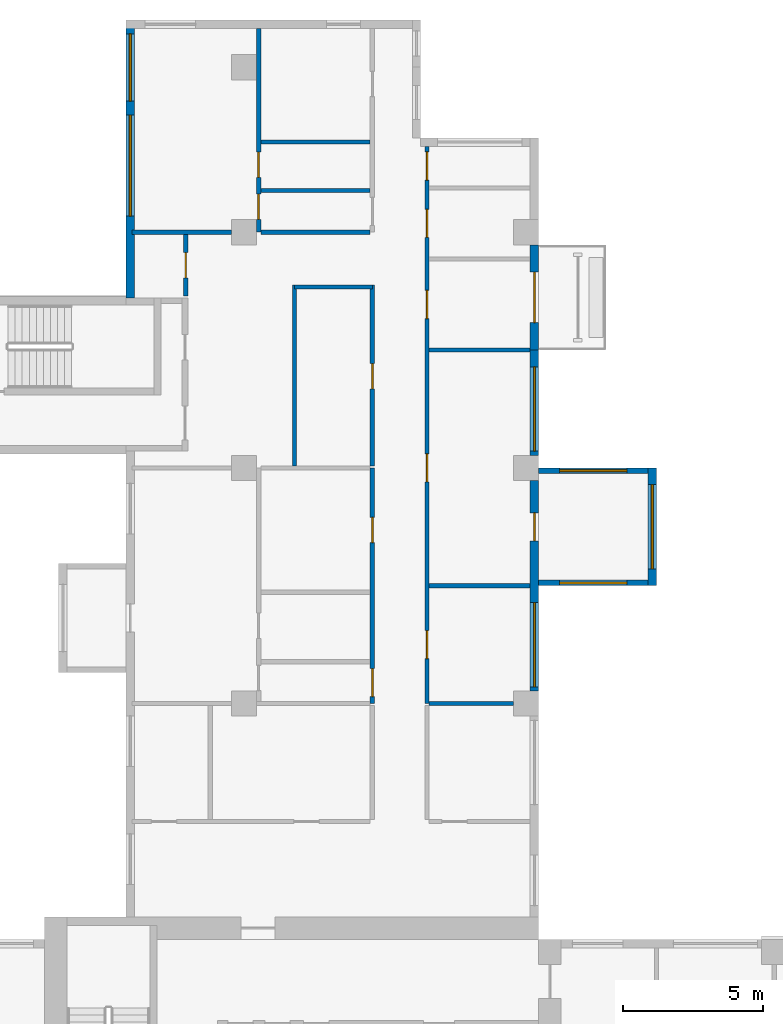
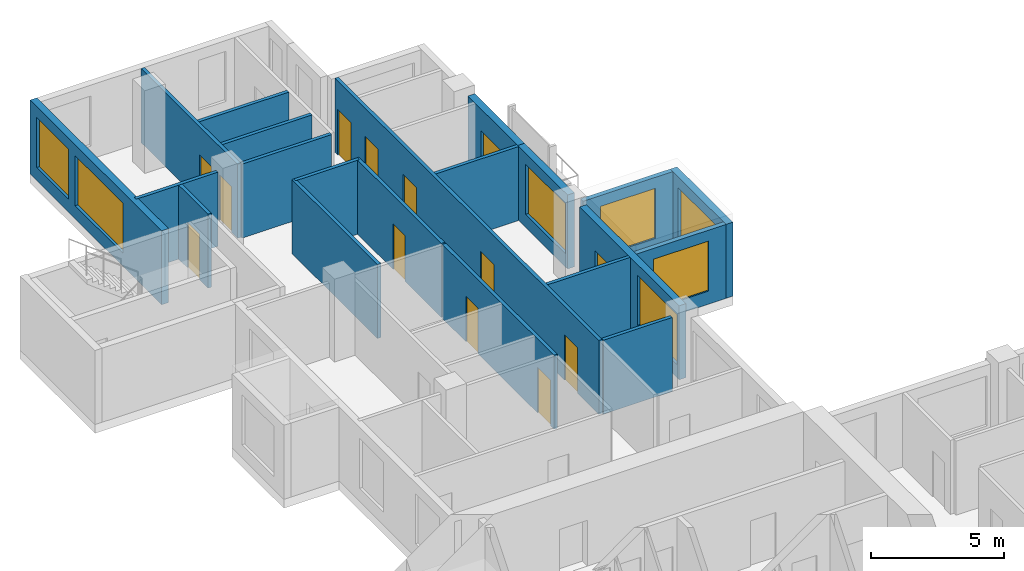
# One storey, part 7 of 12: 21 walls, 13 doors, 7 windows, 20 openings.
"""IFC4 building model written with IfcOpenShell, lengths in metres."""

from ifc_helpers import new_model, si_unit, direction, frame, frame_2d, origin, place, context, subcontext, project, spatial, rectangle, extrude, source, transform, mapped, material, layer, layer_set, type_object, element, fill, save


model = new_model("IFC4")

# Units and contexts
model_context = context("Model", 3, precision=1e-05, world=origin(), true_north=direction((0.0, 1.0)))
body_context = subcontext(model_context, "Body", "Model", "MODEL_VIEW")
ifc_project = project(units=[si_unit("LENGTHUNIT", "METRE"), si_unit("AREAUNIT", "SQUARE_METRE"), si_unit("VOLUMEUNIT", "CUBIC_METRE"), si_unit("PLANEANGLEUNIT", "RADIAN"), si_unit("MASSUNIT", "GRAM", prefix="KILO")], contexts=[model_context])

# Site, building, storey
site_placement = place(None, origin())
site = spatial("IfcSite", under=ifc_project, at=site_placement, CompositionType="ELEMENT")
building_placement = place(site_placement, origin())
building = spatial("IfcBuilding", under=site, at=building_placement, Name="Aurelian Terraces", CompositionType="ELEMENT")
storey_placement = place(building_placement, frame((0.0, 0.0, 223.4)))
storey = spatial("IfcBuildingStorey", under=building, at=storey_placement, Name="L50", CompositionType="ELEMENT", Elevation=223.4)

# Wall, openings, window, door
ifc_material_1 = material(Name="Terracotta rainscreen cladding", Category="masonry")
ifc_layer_1 = layer(ifc_material_1, 0.3)
ifc_layer_set_1 = layer_set([ifc_layer_1], Name="EW-300")
wall_type_1 = type_object("IfcWallType", Name="EW-300", PredefinedType="STANDARD", material=ifc_layer_set_1)
shared_shape_1 = source(origin(), body_context, "Body", "SweptSolid", [
    extrude(rectangle(XDim=7.5, YDim=0.3, at=frame_2d((3.75, 0.0))), origin(), (0.0, 0.0, 1.0), 3.4),
])
wall_1_placement = place(storey_placement, frame((20.85, 29.85, 0.0), z_axis=(0.0, 0.0, 1.0), x_axis=(0.0, 1.0, 0.0)))
wall_1 = element("IfcWall", 1, at=wall_1_placement, inside=storey, type_object=wall_type_1, Name="External wall L50 F08.18", PredefinedType="STANDARD", context=body_context, shape_type="MappedRepresentation", body=[
    mapped(shared_shape_1, transform((0.0, 0.0, 0.0), scale=1.0)),
])
shared_shape_2 = source(origin(), body_context, "Body", "SweptSolid", [
    extrude(rectangle(XDim=3.0, YDim=2.3, at=frame_2d((1.5, 1.15))), frame((0.0, 0.16, 0.0), z_axis=(0.0, -1.0, 0.0), x_axis=(1.0, 0.0, 0.0)), (0.0, 0.0, 1.0), 0.32),
])
opening_1_placement = place(wall_1_placement, frame((0.15, 0.0, 0.6)))
opening_1 = element("IfcOpeningElement", 2, at=opening_1_placement, cuts=wall_1, Name="Opening W3023", PredefinedType="OPENING", context=body_context, shape_type="MappedRepresentation", body=[
    mapped(shared_shape_2, transform((0.0, 0.0, 0.0), scale=1.0)),
])
shared_shape_3 = source(origin(), body_context, "Body", "SweptSolid", [
    extrude(rectangle(XDim=1.0, YDim=2.1, at=frame_2d((0.5, 1.05))), frame((0.0, 0.16, 0.0), z_axis=(0.0, -1.0, 0.0), x_axis=(1.0, 0.0, 0.0)), (0.0, 0.0, 1.0), 0.32),
])
opening_2_placement = place(wall_1_placement, frame((5.35, 0.0, 0.0)))
opening_2 = element("IfcOpeningElement", 3, at=opening_2_placement, cuts=wall_1, Name="Opening 850003", PredefinedType="OPENING", context=body_context, shape_type="MappedRepresentation", body=[
    mapped(shared_shape_3, transform((0.0, 0.0, 0.0), scale=1.0)),
])
ifc_material_2 = material(Name="Clear glazing", Category="glass")
window_type_1 = type_object("IfcWindowType", Name="W-3000x2300", PartitioningType="SINGLE_PANEL", PredefinedType="WINDOW", material=ifc_material_2)
shared_shape_4 = source(origin(), body_context, "Body", "SweptSolid", [
    extrude(rectangle(XDim=3.0, YDim=2.3, at=frame_2d((1.5, 1.15))), frame((0.0, 0.03, 0.0), z_axis=(0.0, -1.0, 0.0), x_axis=(1.0, 0.0, 0.0)), (0.0, 0.0, 1.0), 0.06),
])
window_1_placement = place(opening_1_placement, origin())
window_1 = element("IfcWindow", 4, at=window_1_placement, inside=storey, type_object=window_type_1, Name="Window L50 L50-F08-18-0", OverallHeight=2.3, OverallWidth=3.0, PartitioningType="SINGLE_PANEL", PredefinedType="WINDOW", context=body_context, shape_type="MappedRepresentation", body=[
    mapped(shared_shape_4, transform((0.0, 0.0, 0.0), scale=1.0)),
])
fill(opening_1, window_1)
ifc_material_3 = material(Name="Timber door leaf", Category="wood")
door_type_1 = type_object("IfcDoorType", Name="Room door 1000x2100 left", OperationType="SINGLE_SWING_LEFT", PredefinedType="DOOR", material=ifc_material_3)
shared_shape_5 = source(origin(), body_context, "Body", "SweptSolid", [
    extrude(rectangle(XDim=1.0, YDim=2.1, at=frame_2d((0.5, 1.05))), frame((0.0, 0.025, 0.0), z_axis=(0.0, -1.0, 0.0), x_axis=(1.0, 0.0, 0.0)), (0.0, 0.0, 1.0), 0.05),
])
door_1_placement = place(opening_2_placement, origin())
door_1 = element("IfcDoor", 5, at=door_1_placement, inside=storey, type_object=door_type_1, Name="Door 850003", OperationType="SINGLE_SWING_LEFT", OverallHeight=2.1, OverallWidth=1.0, PredefinedType="DOOR", context=body_context, shape_type="MappedRepresentation", body=[
    mapped(shared_shape_5, transform((0.0, 0.0, 0.0), scale=1.0)),
])
fill(opening_2, door_1)

# Wall, opening, window
shared_shape_6 = source(origin(), body_context, "Body", "SweptSolid", [
    extrude(rectangle(XDim=3.75, YDim=0.3, at=frame_2d((1.875, 0.0))), origin(), (0.0, 0.0, 1.0), 3.4),
])
wall_2_placement = place(storey_placement, frame((20.85, 38.25, 0.0), z_axis=(0.0, 0.0, 1.0), x_axis=(0.0, 1.0, 0.0)))
wall_2 = element("IfcWall", 6, at=wall_2_placement, inside=storey, type_object=wall_type_1, Name="External wall L50 F08.19", PredefinedType="STANDARD", context=body_context, shape_type="MappedRepresentation", body=[
    mapped(shared_shape_6, transform((0.0, 0.0, 0.0), scale=1.0)),
])
opening_3_placement = place(wall_2_placement, frame((0.15, 0.0, 0.6)))
opening_3 = element("IfcOpeningElement", 7, at=opening_3_placement, cuts=wall_2, Name="Opening W3023", PredefinedType="OPENING", context=body_context, shape_type="MappedRepresentation", body=[
    mapped(shared_shape_2, transform((0.0, 0.0, 0.0), scale=1.0)),
])
window_2_placement = place(opening_3_placement, origin())
window_2 = element("IfcWindow", 8, at=window_2_placement, inside=storey, type_object=window_type_1, Name="Window L50 L50-F08-19-0", OverallHeight=2.3, OverallWidth=3.0, PartitioningType="SINGLE_PANEL", PredefinedType="WINDOW", context=body_context, shape_type="MappedRepresentation", body=[
    mapped(shared_shape_4, transform((0.0, 0.0, 0.0), scale=1.0)),
])
fill(opening_3, window_2)

# Wall, opening, door
wall_3_placement = place(storey_placement, frame((20.85, 42.0, 0.0), z_axis=(0.0, 0.0, 1.0), x_axis=(0.0, 1.0, 0.0)))
wall_3 = element("IfcWall", 9, at=wall_3_placement, inside=storey, type_object=wall_type_1, Name="External wall L50 F08.20", PredefinedType="STANDARD", context=body_context, shape_type="MappedRepresentation", body=[
    mapped(shared_shape_6, transform((0.0, 0.0, 0.0), scale=1.0)),
])
shared_shape_7 = source(origin(), body_context, "Body", "SweptSolid", [
    extrude(rectangle(XDim=1.8, YDim=2.4, at=frame_2d((0.9, 1.2))), frame((0.0, 0.16, 0.0), z_axis=(0.0, -1.0, 0.0), x_axis=(1.0, 0.0, 0.0)), (0.0, 0.0, 1.0), 0.32),
])
opening_4_placement = place(wall_3_placement, frame((0.975, 0.0, 0.0)))
opening_4 = element("IfcOpeningElement", 10, at=opening_4_placement, cuts=wall_3, Name="Opening 85002", PredefinedType="OPENING", context=body_context, shape_type="MappedRepresentation", body=[
    mapped(shared_shape_7, transform((0.0, 0.0, 0.0), scale=1.0)),
])
door_type_2 = type_object("IfcDoorType", Name="BD-1800x2400", OperationType="SLIDING_TO_LEFT", PredefinedType="DOOR", material=ifc_material_2)
shared_shape_8 = source(origin(), body_context, "Body", "SweptSolid", [
    extrude(rectangle(XDim=1.8, YDim=2.4, at=frame_2d((0.9, 1.2))), frame((0.0, 0.025, 0.0), z_axis=(0.0, -1.0, 0.0), x_axis=(1.0, 0.0, 0.0)), (0.0, 0.0, 1.0), 0.05),
])
door_2_placement = place(opening_4_placement, origin())
door_2 = element("IfcDoor", 11, at=door_2_placement, inside=storey, type_object=door_type_2, Name="Balcony door L50 F08.20", OperationType="SLIDING_TO_LEFT", OverallHeight=2.4, OverallWidth=1.8, PredefinedType="DOOR", context=body_context, shape_type="MappedRepresentation", body=[
    mapped(shared_shape_8, transform((0.0, 0.0, 0.0), scale=1.0)),
])
fill(opening_4, door_2)

# Wall, opening, window
ifc_material_4 = material(Name="Concrete fc' 40 MPa", Category="concrete")
ifc_layer_2 = layer(ifc_material_4, 0.2)
ifc_layer_set_2 = layer_set([ifc_layer_2], Name="BOX BEARING WALL 200")
wall_type_2 = type_object("IfcWallType", Name="BOX BEARING WALL 200", PredefinedType="SOLIDWALL", material=ifc_layer_set_2)
shared_shape_9 = source(origin(), body_context, "Body", "SweptSolid", [
    extrude(rectangle(XDim=3.9, YDim=0.2, at=frame_2d((1.95, 0.0))), origin(), (0.0, 0.0, 1.0), 3.4),
])
wall_4_placement = place(storey_placement, frame((21.0, 33.7, 0.0), z_axis=(0.0, 0.0, 1.0), x_axis=(1.0, 0.0, 0.0)))
wall_4 = element("IfcWall", 12, at=wall_4_placement, inside=storey, type_object=wall_type_2, Name="Box return L50 J72.1", PredefinedType="SOLIDWALL", context=body_context, shape_type="MappedRepresentation", body=[
    mapped(shared_shape_9, transform((0.0, 0.0, 0.0), scale=1.0)),
])
shared_shape_10 = source(origin(), body_context, "Body", "SweptSolid", [
    extrude(rectangle(XDim=2.4, YDim=2.3, at=frame_2d((1.2, 1.15))), frame((0.0, 0.11, 0.0), z_axis=(0.0, -1.0, 0.0), x_axis=(1.0, 0.0, 0.0)), (0.0, 0.0, 1.0), 0.22),
])
opening_5_placement = place(wall_4_placement, frame((0.75, 0.0, 0.6)))
opening_5 = element("IfcOpeningElement", 13, at=opening_5_placement, cuts=wall_4, Name="Opening W2423", PredefinedType="OPENING", context=body_context, shape_type="MappedRepresentation", body=[
    mapped(shared_shape_10, transform((0.0, 0.0, 0.0), scale=1.0)),
])
window_type_2 = type_object("IfcWindowType", Name="W-2400x2300", PartitioningType="SINGLE_PANEL", PredefinedType="WINDOW", material=ifc_material_2)
shared_shape_11 = source(origin(), body_context, "Body", "SweptSolid", [
    extrude(rectangle(XDim=2.4, YDim=2.3, at=frame_2d((1.2, 1.15))), frame((0.0, 0.03, 0.0), z_axis=(0.0, -1.0, 0.0), x_axis=(1.0, 0.0, 0.0)), (0.0, 0.0, 1.0), 0.06),
])
window_3_placement = place(opening_5_placement, origin())
window_3 = element("IfcWindow", 14, at=window_3_placement, inside=storey, type_object=window_type_2, Name="Window L50 J72-S1", OverallHeight=2.3, OverallWidth=2.4, PartitioningType="SINGLE_PANEL", PredefinedType="WINDOW", context=body_context, shape_type="MappedRepresentation", body=[
    mapped(shared_shape_11, transform((0.0, 0.0, 0.0), scale=1.0)),
])
fill(opening_5, window_3)

wall_5_placement = place(storey_placement, frame((21.0, 37.7, 0.0), z_axis=(0.0, 0.0, 1.0), x_axis=(1.0, 0.0, 0.0)))
wall_5 = element("IfcWall", 15, at=wall_5_placement, inside=storey, type_object=wall_type_2, Name="Box return L50 J72.2", PredefinedType="SOLIDWALL", context=body_context, shape_type="MappedRepresentation", body=[
    mapped(shared_shape_9, transform((0.0, 0.0, 0.0), scale=1.0)),
])
opening_6_placement = place(wall_5_placement, frame((0.75, 0.0, 0.6)))
opening_6 = element("IfcOpeningElement", 16, at=opening_6_placement, cuts=wall_5, Name="Opening W2423", PredefinedType="OPENING", context=body_context, shape_type="MappedRepresentation", body=[
    mapped(shared_shape_10, transform((0.0, 0.0, 0.0), scale=1.0)),
])
window_4_placement = place(opening_6_placement, origin())
window_4 = element("IfcWindow", 17, at=window_4_placement, inside=storey, type_object=window_type_2, Name="Window L50 J72-S2", OverallHeight=2.3, OverallWidth=2.4, PartitioningType="SINGLE_PANEL", PredefinedType="WINDOW", context=body_context, shape_type="MappedRepresentation", body=[
    mapped(shared_shape_11, transform((0.0, 0.0, 0.0), scale=1.0)),
])
fill(opening_6, window_4)

ifc_layer_3 = layer(ifc_material_4, 0.3)
ifc_layer_set_3 = layer_set([ifc_layer_3], Name="BOX BEARING WALL 300")
wall_type_3 = type_object("IfcWallType", Name="BOX BEARING WALL 300", PredefinedType="SOLIDWALL", material=ifc_layer_set_3)
shared_shape_12 = source(origin(), body_context, "Body", "SweptSolid", [
    extrude(rectangle(XDim=4.2, YDim=0.3, at=frame_2d((2.1, 0.0))), origin(), (0.0, 0.0, 1.0), 3.4),
])
wall_6_placement = place(storey_placement, frame((25.05, 33.6, 0.0), z_axis=(0.0, 0.0, 1.0), x_axis=(0.0, 1.0, 0.0)))
wall_6 = element("IfcWall", 18, at=wall_6_placement, inside=storey, type_object=wall_type_3, Name="Box wall L50 J72", PredefinedType="SOLIDWALL", context=body_context, shape_type="MappedRepresentation", body=[
    mapped(shared_shape_12, transform((0.0, 0.0, 0.0), scale=1.0)),
])
opening_7_placement = place(wall_6_placement, frame((0.6, 0.0, 0.6)))
opening_7 = element("IfcOpeningElement", 19, at=opening_7_placement, cuts=wall_6, Name="Opening W3023", PredefinedType="OPENING", context=body_context, shape_type="MappedRepresentation", body=[
    mapped(shared_shape_2, transform((0.0, 0.0, 0.0), scale=1.0)),
])
window_5_placement = place(opening_7_placement, origin())
window_5 = element("IfcWindow", 20, at=window_5_placement, inside=storey, type_object=window_type_1, Name="Window L50 J72-F1", OverallHeight=2.3, OverallWidth=3.0, PartitioningType="SINGLE_PANEL", PredefinedType="WINDOW", context=body_context, shape_type="MappedRepresentation", body=[
    mapped(shared_shape_4, transform((0.0, 0.0, 0.0), scale=1.0)),
])
fill(opening_7, window_5)

# Wall, openings, windows
shared_shape_13 = source(origin(), body_context, "Body", "SweptSolid", [
    extrude(rectangle(XDim=9.91, YDim=0.3, at=frame_2d((4.955, 0.0))), origin(), (0.0, 0.0, 1.0), 3.4),
])
wall_7_placement = place(storey_placement, frame((6.45, 53.76, 0.0), z_axis=(0.0, 0.0, 1.0), x_axis=(0.0, -1.0, 0.0)))
wall_7 = element("IfcWall", 21, at=wall_7_placement, inside=storey, type_object=wall_type_1, Name="External wall L50 F12.26", PredefinedType="STANDARD", context=body_context, shape_type="MappedRepresentation", body=[
    mapped(shared_shape_13, transform((0.0, 0.0, 0.0), scale=1.0)),
])
shared_shape_14 = source(origin(), body_context, "Body", "SweptSolid", [
    extrude(rectangle(XDim=3.6, YDim=2.3, at=frame_2d((1.8, 1.15))), frame((0.0, 0.16, 0.0), z_axis=(0.0, -1.0, 0.0), x_axis=(1.0, 0.0, 0.0)), (0.0, 0.0, 1.0), 0.32),
])
opening_8_placement = place(wall_7_placement, frame((3.39, 0.0, 0.6)))
opening_8 = element("IfcOpeningElement", 22, at=opening_8_placement, cuts=wall_7, Name="Opening W3623", PredefinedType="OPENING", context=body_context, shape_type="MappedRepresentation", body=[
    mapped(shared_shape_14, transform((0.0, 0.0, 0.0), scale=1.0)),
])
shared_shape_15 = source(origin(), body_context, "Body", "SweptSolid", [
    extrude(rectangle(XDim=2.4, YDim=2.3, at=frame_2d((1.2, 1.15))), frame((0.0, 0.16, 0.0), z_axis=(0.0, -1.0, 0.0), x_axis=(1.0, 0.0, 0.0)), (0.0, 0.0, 1.0), 0.32),
])
opening_9_placement = place(wall_7_placement, frame((0.495, 0.0, 0.6)))
opening_9 = element("IfcOpeningElement", 23, at=opening_9_placement, cuts=wall_7, Name="Opening W2423", PredefinedType="OPENING", context=body_context, shape_type="MappedRepresentation", body=[
    mapped(shared_shape_15, transform((0.0, 0.0, 0.0), scale=1.0)),
])
window_type_3 = type_object("IfcWindowType", Name="W-3600x2300", PartitioningType="SINGLE_PANEL", PredefinedType="WINDOW", material=ifc_material_2)
shared_shape_16 = source(origin(), body_context, "Body", "SweptSolid", [
    extrude(rectangle(XDim=3.6, YDim=2.3, at=frame_2d((1.8, 1.15))), frame((0.0, 0.03, 0.0), z_axis=(0.0, -1.0, 0.0), x_axis=(1.0, 0.0, 0.0)), (0.0, 0.0, 1.0), 0.06),
])
window_6_placement = place(opening_8_placement, origin())
window_6 = element("IfcWindow", 24, at=window_6_placement, inside=storey, type_object=window_type_3, Name="Window L50 L50-F12-26-1", OverallHeight=2.3, OverallWidth=3.6, PartitioningType="SINGLE_PANEL", PredefinedType="WINDOW", context=body_context, shape_type="MappedRepresentation", body=[
    mapped(shared_shape_16, transform((0.0, 0.0, 0.0), scale=1.0)),
])
fill(opening_8, window_6)
window_7_placement = place(opening_9_placement, origin())
window_7 = element("IfcWindow", 25, at=window_7_placement, inside=storey, type_object=window_type_2, Name="Window L50 L50-F12-26-G0-0", OverallHeight=2.3, OverallWidth=2.4, PartitioningType="SINGLE_PANEL", PredefinedType="WINDOW", context=body_context, shape_type="MappedRepresentation", body=[
    mapped(shared_shape_11, transform((0.0, 0.0, 0.0), scale=1.0)),
])
fill(opening_9, window_7)

# Wall
ifc_material_5 = material(Name="Gypsum board on steel studs", Category="steel")
ifc_layer_4 = layer(ifc_material_5, 0.15)
ifc_layer_set_4 = layer_set([ifc_layer_4], Name="Partition 150")
wall_type_4 = type_object("IfcWallType", Name="Partition 150", PredefinedType="PARTITIONING", material=ifc_layer_set_4)
shared_shape_17 = source(origin(), body_context, "Body", "SweptSolid", [
    extrude(rectangle(XDim=6.45, YDim=0.15, at=frame_2d((3.225, 0.0))), origin(), (0.0, 0.0, 1.0), 3.4),
])
wall_8_placement = place(storey_placement, frame((12.3, 44.325, 0.0), z_axis=(0.0, 0.0, 1.0), x_axis=(0.0, -1.0, 0.0)))
element("IfcWall", 26, at=wall_8_placement, inside=storey, type_object=wall_type_4, Name="Partition", PredefinedType="PARTITIONING", context=body_context, shape_type="MappedRepresentation", body=[
    mapped(shared_shape_17, transform((0.0, 0.0, 0.0), scale=1.0)),
])

# Wall, opening, door
ifc_layer_5 = layer(ifc_material_5, 0.15)
ifc_layer_set_5 = layer_set([ifc_layer_5], Name="Fire partition 150")
wall_type_5 = type_object("IfcWallType", Name="Fire partition 150", PredefinedType="PARTITIONING", material=ifc_layer_set_5)
wall_9_placement = place(storey_placement, frame((15.075, 37.875, 0.0), z_axis=(0.0, 0.0, 1.0), x_axis=(0.0, 1.0, 0.0)))
wall_9 = element("IfcWall", 27, at=wall_9_placement, inside=storey, type_object=wall_type_5, Name="Corridor wall", PredefinedType="PARTITIONING", context=body_context, shape_type="MappedRepresentation", body=[
    mapped(shared_shape_17, transform((0.0, 0.0, 0.0), scale=1.0)),
])
shared_shape_18 = source(origin(), body_context, "Body", "SweptSolid", [
    extrude(rectangle(XDim=0.9, YDim=2.1, at=frame_2d((0.45, 1.05))), frame((0.0, 0.085, 0.0), z_axis=(0.0, -1.0, 0.0), x_axis=(1.0, 0.0, 0.0)), (0.0, 0.0, 1.0), 0.17),
])
opening_10_placement = place(wall_9_placement, frame((2.7375, 0.0, 0.0)))
opening_10 = element("IfcOpeningElement", 28, at=opening_10_placement, cuts=wall_9, Name="Opening 750024", PredefinedType="OPENING", context=body_context, shape_type="MappedRepresentation", body=[
    mapped(shared_shape_18, transform((0.0, 0.0, 0.0), scale=1.0)),
])
door_type_3 = type_object("IfcDoorType", Name="Room door 900x2100 right", OperationType="SINGLE_SWING_RIGHT", PredefinedType="DOOR", material=ifc_material_3)
shared_shape_19 = source(origin(), body_context, "Body", "SweptSolid", [
    extrude(rectangle(XDim=0.9, YDim=2.1, at=frame_2d((0.45, 1.05))), frame((0.0, 0.025, 0.0), z_axis=(0.0, -1.0, 0.0), x_axis=(1.0, 0.0, 0.0)), (0.0, 0.0, 1.0), 0.05),
])
door_3_placement = place(opening_10_placement, origin())
door_3 = element("IfcDoor", 29, at=door_3_placement, inside=storey, type_object=door_type_3, Name="Door 750024", OperationType="SINGLE_SWING_RIGHT", OverallHeight=2.1, OverallWidth=0.9, PredefinedType="DOOR", context=body_context, shape_type="MappedRepresentation", body=[
    mapped(shared_shape_19, transform((0.0, 0.0, 0.0), scale=1.0)),
])
fill(opening_10, door_3)

# Walls
shared_shape_20 = source(origin(), body_context, "Body", "SweptSolid", [
    extrude(rectangle(XDim=3.9, YDim=0.15, at=frame_2d((1.95, 0.0))), origin(), (0.0, 0.0, 1.0), 3.4),
])
for number, where, z_axis, x_axis, name in (
    (30, (15.0, 47.6845, 0.0), (0.0, 0.0, 1.0), (-1.0, 0.0, 0.0), "Partition"),
    (31, (15.0, 49.4159, 0.0), (0.0, 0.0, 1.0), (-1.0, 0.0, 0.0), "Partition"),
):
    element("IfcWall", number, at=place(storey_placement, frame(where, z_axis=z_axis, x_axis=x_axis)), inside=storey, type_object=wall_type_4, Name=name, PredefinedType="PARTITIONING", context=body_context, shape_type="MappedRepresentation", body=[
        mapped(shared_shape_20, transform((0.0, 0.0, 0.0), scale=1.0)),
    ])
wall_10_placement = place(storey_placement, frame((15.0, 46.2, 0.0), z_axis=(0.0, 0.0, 1.0), x_axis=(-1.0, 0.0, 0.0)))
element("IfcWall", 32, at=wall_10_placement, inside=storey, type_object=wall_type_5, Name="Party wall", PredefinedType="PARTITIONING", context=body_context, shape_type="MappedRepresentation", body=[
    mapped(shared_shape_20, transform((0.0, 0.0, 0.0), scale=1.0)),
])
shared_shape_21 = source(origin(), body_context, "Body", "SweptSolid", [
    extrude(rectangle(XDim=3.6, YDim=0.15, at=frame_2d((1.8, 0.0))), origin(), (0.0, 0.0, 1.0), 3.4),
])
for number, where, z_axis, x_axis, name in (
    (33, (20.7, 33.6, 0.0), (0.0, 0.0, 1.0), (-1.0, 0.0, 0.0), "Party wall"),
    (34, (20.7, 42.0, 0.0), (0.0, 0.0, 1.0), (-1.0, 0.0, 0.0), "Party wall"),
):
    element("IfcWall", number, at=place(storey_placement, frame(where, z_axis=z_axis, x_axis=x_axis)), inside=storey, type_object=wall_type_5, Name=name, PredefinedType="PARTITIONING", context=body_context, shape_type="MappedRepresentation", body=[
        mapped(shared_shape_21, transform((0.0, 0.0, 0.0), scale=1.0)),
    ])

# Wall, openings, doors
shared_shape_22 = source(origin(), body_context, "Body", "SweptSolid", [
    extrude(rectangle(XDim=8.4, YDim=0.15, at=frame_2d((4.2, 0.0))), origin(), (0.0, 0.0, 1.0), 3.4),
])
wall_11_placement = place(storey_placement, frame((15.075, 29.4, 0.0), z_axis=(0.0, 0.0, 1.0), x_axis=(0.0, 1.0, 0.0)))
wall_11 = element("IfcWall", 35, at=wall_11_placement, inside=storey, type_object=wall_type_5, Name="Corridor wall", PredefinedType="PARTITIONING", context=body_context, shape_type="MappedRepresentation", body=[
    mapped(shared_shape_22, transform((0.0, 0.0, 0.0), scale=1.0)),
])
shared_shape_23 = source(origin(), body_context, "Body", "SweptSolid", [
    extrude(rectangle(XDim=1.0, YDim=2.1, at=frame_2d((0.5, 1.05))), frame((0.0, 0.085, 0.0), z_axis=(0.0, -1.0, 0.0), x_axis=(1.0, 0.0, 0.0)), (0.0, 0.0, 1.0), 0.17),
])
opening_11_placement = place(wall_11_placement, frame((0.245, 0.0, 0.0)))
opening_11 = element("IfcOpeningElement", 36, at=opening_11_placement, cuts=wall_11, Name="Opening 750026", PredefinedType="OPENING", context=body_context, shape_type="MappedRepresentation", body=[
    mapped(shared_shape_23, transform((0.0, 0.0, 0.0), scale=1.0)),
])
opening_12_placement = place(wall_11_placement, frame((5.7333, 0.0, 0.0)))
opening_12 = element("IfcOpeningElement", 37, at=opening_12_placement, cuts=wall_11, Name="Opening 750029", PredefinedType="OPENING", context=body_context, shape_type="MappedRepresentation", body=[
    mapped(shared_shape_18, transform((0.0, 0.0, 0.0), scale=1.0)),
])
ifc_material_6 = material(Name="Steel door leaf", Category="steel")
door_type_4 = type_object("IfcDoorType", Name="Entrance fire door 1000x2100 left", OperationType="SINGLE_SWING_LEFT", PredefinedType="DOOR", material=ifc_material_6)
door_4_placement = place(opening_11_placement, origin())
door_4 = element("IfcDoor", 38, at=door_4_placement, inside=storey, type_object=door_type_4, Name="Door 750026", OperationType="SINGLE_SWING_LEFT", OverallHeight=2.1, OverallWidth=1.0, PredefinedType="DOOR", context=body_context, shape_type="MappedRepresentation", body=[
    mapped(shared_shape_5, transform((0.0, 0.0, 0.0), scale=1.0)),
])
fill(opening_11, door_4)
door_type_5 = type_object("IfcDoorType", Name="Entrance fire door 900x2100 right", OperationType="SINGLE_SWING_RIGHT", PredefinedType="DOOR", material=ifc_material_6)
door_5_placement = place(opening_12_placement, origin())
door_5 = element("IfcDoor", 39, at=door_5_placement, inside=storey, type_object=door_type_5, Name="Door 750029", OperationType="SINGLE_SWING_RIGHT", OverallHeight=2.1, OverallWidth=0.9, PredefinedType="DOOR", context=body_context, shape_type="MappedRepresentation", body=[
    mapped(shared_shape_19, transform((0.0, 0.0, 0.0), scale=1.0)),
])
fill(opening_12, door_5)

# Wall
shared_shape_24 = source(origin(), body_context, "Body", "SweptSolid", [
    extrude(rectangle(XDim=3.001, YDim=0.15, at=frame_2d((1.5005, 0.0))), origin(), (0.0, 0.0, 1.0), 3.4),
])
wall_12_placement = place(storey_placement, frame((20.101, 29.4, 0.0), z_axis=(0.0, 0.0, 1.0), x_axis=(-1.0, 0.0, 0.0)))
element("IfcWall", 40, at=wall_12_placement, inside=storey, type_object=wall_type_4, Name="Partition", PredefinedType="PARTITIONING", context=body_context, shape_type="MappedRepresentation", body=[
    mapped(shared_shape_24, transform((0.0, 0.0, 0.0), scale=1.0)),
])

# Wall, opening, door
shared_shape_25 = source(origin(), body_context, "Body", "SweptSolid", [
    extrude(rectangle(XDim=2.2, YDim=0.15, at=frame_2d((1.1, 0.0))), origin(), (0.0, 0.0, 1.0), 3.4),
])
wall_13_placement = place(storey_placement, frame((8.425, 43.925, 0.0), z_axis=(0.0, 0.0, 1.0), x_axis=(0.0, 1.0, 0.0)))
wall_13 = element("IfcWall", 41, at=wall_13_placement, inside=storey, type_object=wall_type_4, Name="Partition", PredefinedType="PARTITIONING", context=body_context, shape_type="MappedRepresentation", body=[
    mapped(shared_shape_25, transform((0.0, 0.0, 0.0), scale=1.0)),
])
opening_13_placement = place(wall_13_placement, frame((0.65, 0.0, 0.0)))
opening_13 = element("IfcOpeningElement", 42, at=opening_13_placement, cuts=wall_13, Name="Opening 750025", PredefinedType="OPENING", context=body_context, shape_type="MappedRepresentation", body=[
    mapped(shared_shape_18, transform((0.0, 0.0, 0.0), scale=1.0)),
])
door_6_placement = place(opening_13_placement, origin())
door_6 = element("IfcDoor", 43, at=door_6_placement, inside=storey, type_object=door_type_3, Name="Door 750025", OperationType="SINGLE_SWING_RIGHT", OverallHeight=2.1, OverallWidth=0.9, PredefinedType="DOOR", context=body_context, shape_type="MappedRepresentation", body=[
    mapped(shared_shape_19, transform((0.0, 0.0, 0.0), scale=1.0)),
])
fill(opening_13, door_6)

# Wall
shared_shape_26 = source(origin(), body_context, "Body", "SweptSolid", [
    extrude(rectangle(XDim=3.546, YDim=0.15, at=frame_2d((1.773, 0.0))), origin(), (0.0, 0.0, 1.0), 3.4),
])
wall_14_placement = place(storey_placement, frame((10.051, 46.2, 0.0), z_axis=(0.0, 0.0, 1.0), x_axis=(-1.0, 0.0, 0.0)))
element("IfcWall", 44, at=wall_14_placement, inside=storey, type_object=wall_type_5, Name="Party wall", PredefinedType="PARTITIONING", context=body_context, shape_type="MappedRepresentation", body=[
    mapped(shared_shape_26, transform((0.0, 0.0, 0.0), scale=1.0)),
])

# Wall, openings, doors
shared_shape_27 = source(origin(), body_context, "Body", "SweptSolid", [
    extrude(rectangle(XDim=7.26, YDim=0.15, at=frame_2d((3.63, 0.0))), origin(), (0.0, 0.0, 1.0), 3.4),
])
wall_15_placement = place(storey_placement, frame((11.025, 46.2, 0.0), z_axis=(0.0, 0.0, 1.0), x_axis=(0.0, 1.0, 0.0)))
wall_15 = element("IfcWall", 45, at=wall_15_placement, inside=storey, type_object=wall_type_4, Name="Partition", PredefinedType="PARTITIONING", context=body_context, shape_type="MappedRepresentation", body=[
    mapped(shared_shape_27, transform((0.0, 0.0, 0.0), scale=1.0)),
])
opening_14_placement = place(wall_15_placement, frame((0.459, 0.0, 0.0)))
opening_14 = element("IfcOpeningElement", 46, at=opening_14_placement, cuts=wall_15, Name="Opening 750031", PredefinedType="OPENING", context=body_context, shape_type="MappedRepresentation", body=[
    mapped(shared_shape_18, transform((0.0, 0.0, 0.0), scale=1.0)),
])
opening_15_placement = place(wall_15_placement, frame((1.9502, 0.0, 0.0)))
opening_15 = element("IfcOpeningElement", 47, at=opening_15_placement, cuts=wall_15, Name="Opening 750032", PredefinedType="OPENING", context=body_context, shape_type="MappedRepresentation", body=[
    mapped(shared_shape_18, transform((0.0, 0.0, 0.0), scale=1.0)),
])
door_7_placement = place(opening_14_placement, origin())
door_7 = element("IfcDoor", 48, at=door_7_placement, inside=storey, type_object=door_type_3, Name="Door 750031", OperationType="SINGLE_SWING_RIGHT", OverallHeight=2.1, OverallWidth=0.9, PredefinedType="DOOR", context=body_context, shape_type="MappedRepresentation", body=[
    mapped(shared_shape_19, transform((0.0, 0.0, 0.0), scale=1.0)),
])
fill(opening_14, door_7)
door_type_6 = type_object("IfcDoorType", Name="Room door 900x2100 left", OperationType="SINGLE_SWING_LEFT", PredefinedType="DOOR", material=ifc_material_3)
door_8_placement = place(opening_15_placement, origin())
door_8 = element("IfcDoor", 49, at=door_8_placement, inside=storey, type_object=door_type_6, Name="Door 750032", OperationType="SINGLE_SWING_LEFT", OverallHeight=2.1, OverallWidth=0.9, PredefinedType="DOOR", context=body_context, shape_type="MappedRepresentation", body=[
    mapped(shared_shape_19, transform((0.0, 0.0, 0.0), scale=1.0)),
])
fill(opening_15, door_8)

shared_shape_28 = source(origin(), body_context, "Body", "SweptSolid", [
    extrude(rectangle(XDim=19.86, YDim=0.15, at=frame_2d((9.93, 0.0))), origin(), (0.0, 0.0, 1.0), 3.4),
])
wall_16_placement = place(storey_placement, frame((17.025, 49.26, 0.0), z_axis=(0.0, 0.0, 1.0), x_axis=(0.0, -1.0, 0.0)))
wall_16 = element("IfcWall", 50, at=wall_16_placement, inside=storey, type_object=wall_type_5, Name="Corridor wall", PredefinedType="PARTITIONING", context=body_context, shape_type="MappedRepresentation", body=[
    mapped(shared_shape_28, transform((0.0, 0.0, 0.0), scale=1.0)),
])
opening_16_placement = place(wall_16_placement, frame((17.26, 0.0, 0.0)))
opening_16 = element("IfcOpeningElement", 51, at=opening_16_placement, cuts=wall_16, Name="Opening 750034", PredefinedType="OPENING", context=body_context, shape_type="MappedRepresentation", body=[
    mapped(shared_shape_23, transform((0.0, 0.0, 0.0), scale=1.0)),
])
opening_17_placement = place(wall_16_placement, frame((10.96, 0.0, 0.0)))
opening_17 = element("IfcOpeningElement", 52, at=opening_17_placement, cuts=wall_16, Name="Opening 750035", PredefinedType="OPENING", context=body_context, shape_type="MappedRepresentation", body=[
    mapped(shared_shape_23, transform((0.0, 0.0, 0.0), scale=1.0)),
])
opening_18_placement = place(wall_16_placement, frame((5.1382, 0.0, 0.0)))
opening_18 = element("IfcOpeningElement", 53, at=opening_18_placement, cuts=wall_16, Name="Opening 750036", PredefinedType="OPENING", context=body_context, shape_type="MappedRepresentation", body=[
    mapped(shared_shape_23, transform((0.0, 0.0, 0.0), scale=1.0)),
])
opening_19_placement = place(wall_16_placement, frame((2.2489, 0.0, 0.0)))
opening_19 = element("IfcOpeningElement", 54, at=opening_19_placement, cuts=wall_16, Name="Opening 750037", PredefinedType="OPENING", context=body_context, shape_type="MappedRepresentation", body=[
    mapped(shared_shape_23, transform((0.0, 0.0, 0.0), scale=1.0)),
])
opening_20_placement = place(wall_16_placement, frame((0.2032, 0.0, 0.0)))
opening_20 = element("IfcOpeningElement", 55, at=opening_20_placement, cuts=wall_16, Name="Opening 750038", PredefinedType="OPENING", context=body_context, shape_type="MappedRepresentation", body=[
    mapped(shared_shape_23, transform((0.0, 0.0, 0.0), scale=1.0)),
])
door_9_placement = place(opening_16_placement, origin())
door_9 = element("IfcDoor", 56, at=door_9_placement, inside=storey, type_object=door_type_4, Name="Door 750034", OperationType="SINGLE_SWING_LEFT", OverallHeight=2.1, OverallWidth=1.0, PredefinedType="DOOR", context=body_context, shape_type="MappedRepresentation", body=[
    mapped(shared_shape_5, transform((0.0, 0.0, 0.0), scale=1.0)),
])
fill(opening_16, door_9)
door_10_placement = place(opening_17_placement, origin())
door_10 = element("IfcDoor", 57, at=door_10_placement, inside=storey, type_object=door_type_4, Name="Door 750035", OperationType="SINGLE_SWING_LEFT", OverallHeight=2.1, OverallWidth=1.0, PredefinedType="DOOR", context=body_context, shape_type="MappedRepresentation", body=[
    mapped(shared_shape_5, transform((0.0, 0.0, 0.0), scale=1.0)),
])
fill(opening_17, door_10)
door_11_placement = place(opening_18_placement, origin())
door_11 = element("IfcDoor", 58, at=door_11_placement, inside=storey, type_object=door_type_4, Name="Door 750036", OperationType="SINGLE_SWING_LEFT", OverallHeight=2.1, OverallWidth=1.0, PredefinedType="DOOR", context=body_context, shape_type="MappedRepresentation", body=[
    mapped(shared_shape_5, transform((0.0, 0.0, 0.0), scale=1.0)),
])
fill(opening_18, door_11)
door_type_7 = type_object("IfcDoorType", Name="Entrance fire door 1000x2100 right", OperationType="SINGLE_SWING_RIGHT", PredefinedType="DOOR", material=ifc_material_6)
door_12_placement = place(opening_19_placement, origin())
door_12 = element("IfcDoor", 59, at=door_12_placement, inside=storey, type_object=door_type_7, Name="Door 750037", OperationType="SINGLE_SWING_RIGHT", OverallHeight=2.1, OverallWidth=1.0, PredefinedType="DOOR", context=body_context, shape_type="MappedRepresentation", body=[
    mapped(shared_shape_5, transform((0.0, 0.0, 0.0), scale=1.0)),
])
fill(opening_19, door_12)
door_13_placement = place(opening_20_placement, origin())
door_13 = element("IfcDoor", 60, at=door_13_placement, inside=storey, type_object=door_type_4, Name="Door 750038", OperationType="SINGLE_SWING_LEFT", OverallHeight=2.1, OverallWidth=1.0, PredefinedType="DOOR", context=body_context, shape_type="MappedRepresentation", body=[
    mapped(shared_shape_5, transform((0.0, 0.0, 0.0), scale=1.0)),
])
fill(opening_20, door_13)

# Wall
shared_shape_29 = source(origin(), body_context, "Body", "SweptSolid", [
    extrude(rectangle(XDim=2.775, YDim=0.15, at=frame_2d((1.3875, 0.0))), origin(), (0.0, 0.0, 1.0), 3.4),
])
wall_17_placement = place(storey_placement, frame((15.075, 44.25, 0.0), z_axis=(0.0, 0.0, 1.0), x_axis=(-1.0, 0.0, 0.0)))
element("IfcWall", 61, at=wall_17_placement, inside=storey, type_object=wall_type_4, Name="Partition", PredefinedType="PARTITIONING", context=body_context, shape_type="MappedRepresentation", body=[
    mapped(shared_shape_29, transform((0.0, 0.0, 0.0), scale=1.0)),
])

save(model, "model.ifc")
